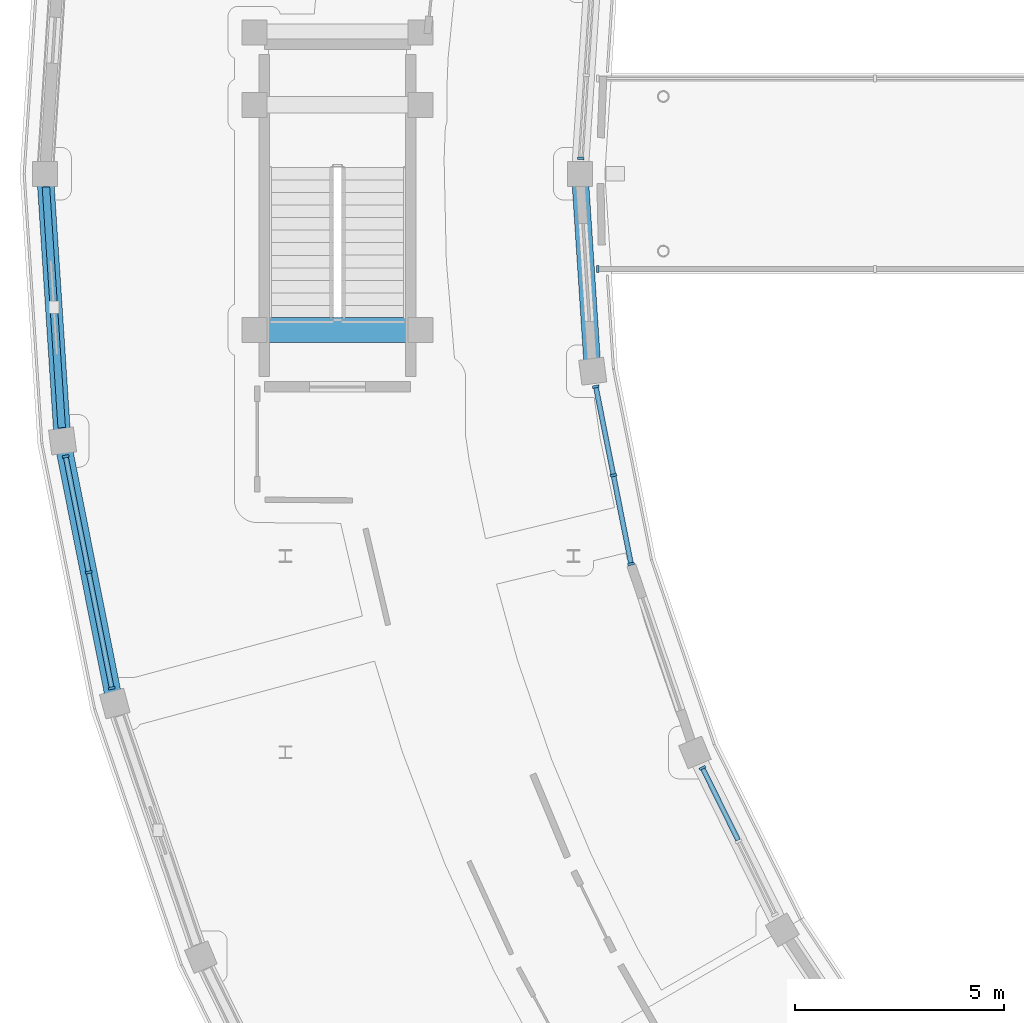
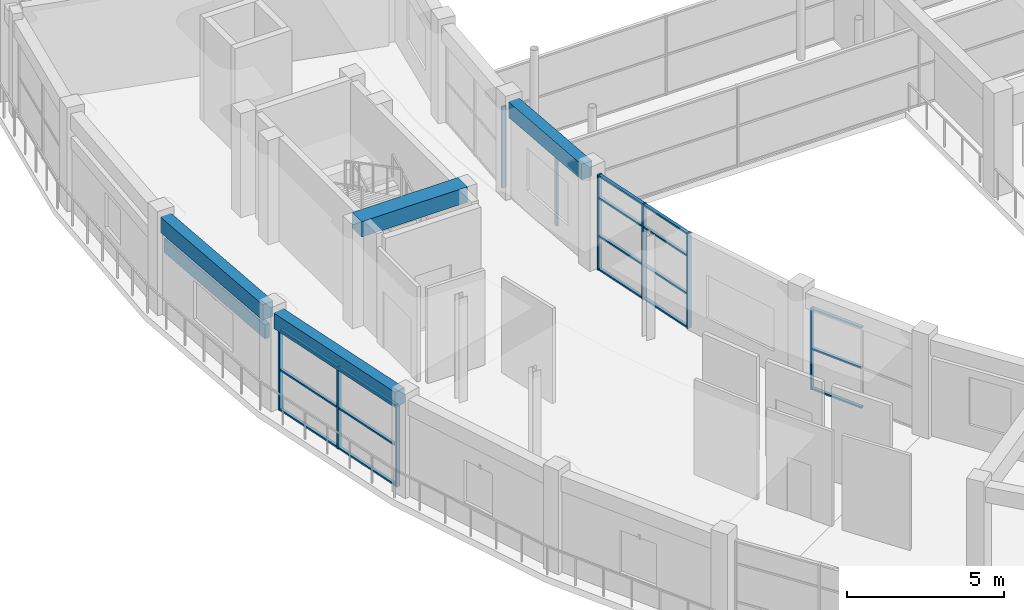
# One storey, part 17 of 70: 27 members, 4 beams, 5 elements without a shape of their own.
"""IFC4 building model written with IfcOpenShell, lengths in metres."""

from ifc_helpers import new_model, si_unit, direction, frame, origin, origin_2d, place, context, subcontext, project, spatial, rectangle, extrude, material, material_profile, profile_set, type_object, element, aggregate, save


model = new_model("IFC4")

# Units and contexts
model_context = context("Model", 3, precision=1e-05, world=origin(), true_north=direction((0.0, 1.0)))
body_context = subcontext(model_context, "Body", "Model", "MODEL_VIEW")
ifc_project = project(units=[si_unit("LENGTHUNIT", "METRE"), si_unit("AREAUNIT", "SQUARE_METRE"), si_unit("VOLUMEUNIT", "CUBIC_METRE"), si_unit("PLANEANGLEUNIT", "RADIAN"), si_unit("MASSUNIT", "GRAM", prefix="KILO")], contexts=[model_context])

# Site, building, storey
site_placement = place(None, origin())
site = spatial("IfcSite", under=ifc_project, at=site_placement, CompositionType="ELEMENT")
building_placement = place(site_placement, origin())
building = spatial("IfcBuilding", under=site, at=building_placement, Name="Saryqyr Civic Hall", CompositionType="ELEMENT")
storey_placement = place(building_placement, frame((0.0, 0.0, 13.199951171875)))
storey = spatial("IfcBuildingStorey", under=building, at=storey_placement, Name="L03", CompositionType="ELEMENT", Elevation=13.199951171875)

# Curtain wall, member
ifc_material_1 = material(Name="Anodised aluminium and triple low-E glass", Category="aluminium")
curtain_wall_type_1 = type_object("IfcCurtainWallType", Name="ENV-CW-STD-21", PredefinedType="NOTDEFINED", material=ifc_material_1)
curtain_wall_1_placement = place(storey_placement, origin())
curtain_wall_1 = element("IfcCurtainWall", 1, at=curtain_wall_1_placement, inside=storey, type_object=curtain_wall_type_1, Name="Curtain wall V4-CWI-L03-01", PredefinedType="NOTDEFINED")
ifc_material_2 = material(Name="Anodised aluminium", Category="aluminium")
ifc_material_profile_1 = material_profile(ifc_material_2, rectangle(XDim=0.06005859375, YDim=0.159912109375, at=origin_2d()), Name="ALU MULLION 60x160")
ifc_profile_set_1 = profile_set([ifc_material_profile_1], Name="Anodised aluminium")
member_type_1 = type_object("IfcMemberType", Name="ENV-CW-MUL-180", PredefinedType="MULLION", material=ifc_profile_set_1)
member_1_placement = place(storey_placement, frame((20.82421875, 84.369873046875, 0.0), z_axis=(0.0, 0.0, 1.0), x_axis=(-0.065397404214, -0.997859298459, 0.0)))
member_1 = element("IfcMember", 2, at=member_1_placement, type_object=member_type_1, Name="CW-21 mullion 3", PredefinedType="MULLION", context=body_context, shape_type="SweptSolid", body=[
    extrude(rectangle(XDim=0.06005859375, YDim=0.159912109375, at=origin_2d()), origin(), (0.0, 0.0, 1.0), 3.1650390625),
])
aggregate(curtain_wall_1, [member_1])

# Curtain wall, members
curtain_wall_type_2 = type_object("IfcCurtainWallType", Name="ENV-CW-STD-23", PredefinedType="NOTDEFINED", material=ifc_material_1)
curtain_wall_2_placement = place(storey_placement, origin())
curtain_wall_2 = element("IfcCurtainWall", 3, at=curtain_wall_2_placement, inside=storey, type_object=curtain_wall_type_2, Name="Curtain wall V4-CWO-L03-03", PredefinedType="NOTDEFINED")
member_2_placement = place(storey_placement, frame((9.59619140625, 71.687255859375, 0.0), z_axis=(0.0, 0.0, 1.0), x_axis=(-0.195096648646, 0.980784021937, 0.0)))
member_2 = element("IfcMember", 4, at=member_2_placement, type_object=member_type_1, Name="CW-23 mullion 1", PredefinedType="MULLION", context=body_context, shape_type="SweptSolid", body=[
    extrude(rectangle(XDim=0.06005859375, YDim=0.159912109375, at=origin_2d()), origin(), (0.0, 0.0, 1.0), 3.1650390625),
])
member_3_placement = place(storey_placement, frame((9.04443359375, 74.4609375, 0.0), z_axis=(0.0, 0.0, 1.0), x_axis=(-0.195096648646, 0.980784021937, 0.0)))
member_3 = element("IfcMember", 5, at=member_3_placement, type_object=member_type_1, Name="CW-23 mullion 2", PredefinedType="MULLION", context=body_context, shape_type="SweptSolid", body=[
    extrude(rectangle(XDim=0.06005859375, YDim=0.159912109375, at=origin_2d()), origin(), (0.0, 0.0, 1.0), 3.1650390625),
])
member_4_placement = place(storey_placement, frame((8.49267578125, 77.23486328125, 0.0), z_axis=(0.0, 0.0, 1.0), x_axis=(-0.195096648646, 0.980784021937, 0.0)))
member_4 = element("IfcMember", 6, at=member_4_placement, type_object=member_type_1, Name="CW-23 mullion 3", PredefinedType="MULLION", context=body_context, shape_type="SweptSolid", body=[
    extrude(rectangle(XDim=0.06005859375, YDim=0.159912109375, at=origin_2d()), origin(), (0.0, 0.0, 1.0), 3.1650390625),
])

curtain_wall_type_3 = type_object("IfcCurtainWallType", Name="ENV-CW-STD-24", PredefinedType="NOTDEFINED", material=ifc_material_1)
curtain_wall_3_placement = place(storey_placement, origin())
curtain_wall_3 = element("IfcCurtainWall", 7, at=curtain_wall_3_placement, inside=storey, type_object=curtain_wall_type_3, Name="Curtain wall V4-CWI-L03-03", PredefinedType="NOTDEFINED")
member_5_placement = place(storey_placement, frame((21.18310546875, 78.905517578125, 0.0), z_axis=(0.0, 0.0, 1.0), x_axis=(0.195099394084, -0.980783475813, 0.0)))
member_5 = element("IfcMember", 8, at=member_5_placement, type_object=member_type_1, Name="CW-24 mullion 1", PredefinedType="MULLION", context=body_context, shape_type="SweptSolid", body=[
    extrude(rectangle(XDim=0.06005859375, YDim=0.159912109375, at=origin_2d()), origin(), (0.0, 0.0, 1.0), 3.699951171875),
])
member_6_placement = place(storey_placement, frame((21.60546875, 76.782958984375, 0.0), z_axis=(0.0, 0.0, 1.0), x_axis=(0.195099394084, -0.980783475813, 0.0)))
member_6 = element("IfcMember", 9, at=member_6_placement, type_object=member_type_1, Name="CW-24 mullion 2", PredefinedType="MULLION", context=body_context, shape_type="SweptSolid", body=[
    extrude(rectangle(XDim=0.06005859375, YDim=0.159912109375, at=origin_2d()), origin(), (0.0, 0.0, 1.0), 3.699951171875),
])
member_7_placement = place(storey_placement, frame((22.027587890625, 74.66015625, 0.0), z_axis=(0.0, 0.0, 1.0), x_axis=(0.195099394084, -0.980783475813, 0.0)))
member_7 = element("IfcMember", 10, at=member_7_placement, type_object=member_type_1, Name="CW-24 mullion 3", PredefinedType="MULLION", context=body_context, shape_type="SweptSolid", body=[
    extrude(rectangle(XDim=0.06005859375, YDim=0.159912109375, at=origin_2d()), origin(), (0.0, 0.0, 1.0), 3.699951171875),
])

# Curtain wall, member
curtain_wall_4_placement = place(storey_placement, origin())
curtain_wall_4 = element("IfcCurtainWall", 11, at=curtain_wall_4_placement, inside=storey, type_object=curtain_wall_type_1, Name="Curtain wall V4-CWI-L03-05", PredefinedType="NOTDEFINED")
member_8_placement = place(storey_placement, frame((23.736572265625, 69.780029296875, 0.0), z_axis=(0.0, 0.0, 1.0), x_axis=(0.44226837931, -0.896882757479, 0.0)))
member_8 = element("IfcMember", 12, at=member_8_placement, type_object=member_type_1, Name="CW-21 mullion 1", PredefinedType="MULLION", context=body_context, shape_type="SweptSolid", body=[
    extrude(rectangle(XDim=0.06005859375, YDim=0.159912109375, at=origin_2d()), origin(), (0.0, 0.0, 1.0), 3.1650390625),
])

curtain_wall_type_4 = type_object("IfcCurtainWallType", Name="ENV-CW-STD-86", PredefinedType="NOTDEFINED", material=ifc_material_1)
curtain_wall_5_placement = place(storey_placement, origin())
curtain_wall_5 = element("IfcCurtainWall", 13, at=curtain_wall_5_placement, inside=storey, type_object=curtain_wall_type_4, Name="Curtain wall BR-CW-CW1-L03", PredefinedType="NOTDEFINED")
member_9_placement = place(storey_placement, frame((21.22998046875, 81.719970703125, 0.0), z_axis=(0.0, 0.0, 1.0), x_axis=(-1.0, 0.0, 0.0)))
member_9 = element("IfcMember", 14, at=member_9_placement, type_object=member_type_1, Name="CW-86 mullion 4", PredefinedType="MULLION", context=body_context, shape_type="SweptSolid", body=[
    extrude(rectangle(XDim=0.06005859375, YDim=0.159912109375, at=origin_2d()), origin(), (0.0, 0.0, 1.0), 3.10009765625),
])
aggregate(curtain_wall_5, [member_9])

# Member
ifc_material_profile_2 = material_profile(ifc_material_2, rectangle(XDim=0.1201171875, YDim=0.06005859375, at=origin_2d()), Name="ALU TRANSOM 120x60")
ifc_profile_set_2 = profile_set([ifc_material_profile_2], Name="Anodised aluminium")
member_type_2 = type_object("IfcMemberType", Name="ENV-CW-TRN-150", PredefinedType="USERDEFINED", material=ifc_profile_set_2)
member_10_placement = place(storey_placement, frame((9.59033203125, 71.716796875, 0.030029296875), z_axis=(-0.195098337536, 0.980783685983, 0.0), x_axis=(-0.980783685983, -0.195098337536, 0.0)))
member_10 = element("IfcMember", 15, at=member_10_placement, type_object=member_type_2, Name="CW-23 transom 1.1", ObjectType="TRANSOM", PredefinedType="USERDEFINED", context=body_context, shape_type="SweptSolid", body=[
    extrude(rectangle(XDim=0.1201171875, YDim=0.06005859375, at=origin_2d()), origin(), (0.0, 0.0, 1.0), 2.76806640625),
])

member_11_placement = place(storey_placement, frame((9.59033203125, 71.716796875, 1.58203125), z_axis=(-0.195098337536, 0.980783685983, 0.0), x_axis=(-0.980783685983, -0.195098337536, 0.0)))
member_11 = element("IfcMember", 16, at=member_11_placement, type_object=member_type_2, Name="CW-23 transom 1.2", ObjectType="TRANSOM", PredefinedType="USERDEFINED", context=body_context, shape_type="SweptSolid", body=[
    extrude(rectangle(XDim=0.1201171875, YDim=0.06005859375, at=origin_2d()), origin(), (0.0, 0.0, 1.0), 2.76806640625),
])

member_12_placement = place(storey_placement, frame((9.59033203125, 71.716796875, 3.135009765625), z_axis=(-0.195098337536, 0.980783685983, 0.0), x_axis=(-0.980783685983, -0.195098337536, 0.0)))
member_12 = element("IfcMember", 17, at=member_12_placement, type_object=member_type_2, Name="CW-23 transom 1.3", ObjectType="TRANSOM", PredefinedType="USERDEFINED", context=body_context, shape_type="SweptSolid", body=[
    extrude(rectangle(XDim=0.1201171875, YDim=0.06005859375, at=origin_2d()), origin(), (0.0, 0.0, 1.0), 2.76806640625),
])

member_13_placement = place(storey_placement, frame((9.03857421875, 74.490478515625, 0.030029296875), z_axis=(-0.195098337536, 0.980783685983, 0.0), x_axis=(-0.980783685983, -0.195098337536, 0.0)))
member_13 = element("IfcMember", 18, at=member_13_placement, type_object=member_type_2, Name="CW-23 transom 2.1", ObjectType="TRANSOM", PredefinedType="USERDEFINED", context=body_context, shape_type="SweptSolid", body=[
    extrude(rectangle(XDim=0.1201171875, YDim=0.06005859375, at=origin_2d()), origin(), (0.0, 0.0, 1.0), 2.76806640625),
])

member_14_placement = place(storey_placement, frame((9.03857421875, 74.490478515625, 1.58203125), z_axis=(-0.195098337536, 0.980783685983, 0.0), x_axis=(-0.980783685983, -0.195098337536, 0.0)))
member_14 = element("IfcMember", 19, at=member_14_placement, type_object=member_type_2, Name="CW-23 transom 2.2", ObjectType="TRANSOM", PredefinedType="USERDEFINED", context=body_context, shape_type="SweptSolid", body=[
    extrude(rectangle(XDim=0.1201171875, YDim=0.06005859375, at=origin_2d()), origin(), (0.0, 0.0, 1.0), 2.76806640625),
])

member_15_placement = place(storey_placement, frame((9.03857421875, 74.490478515625, 3.135009765625), z_axis=(-0.195098337536, 0.980783685983, 0.0), x_axis=(-0.980783685983, -0.195098337536, 0.0)))
member_15 = element("IfcMember", 20, at=member_15_placement, type_object=member_type_2, Name="CW-23 transom 2.3", ObjectType="TRANSOM", PredefinedType="USERDEFINED", context=body_context, shape_type="SweptSolid", body=[
    extrude(rectangle(XDim=0.1201171875, YDim=0.06005859375, at=origin_2d()), origin(), (0.0, 0.0, 1.0), 2.76806640625),
])

aggregate(curtain_wall_2, [member_2, member_3, member_4, member_10, member_11, member_12, member_13, member_14, member_15])

member_16_placement = place(storey_placement, frame((21.18896484375, 78.876220703125, 0.030029296875), z_axis=(0.195134385789, -0.980776514545, 0.0), x_axis=(0.980776514545, 0.195134385789, 0.0)))
member_16 = element("IfcMember", 21, at=member_16_placement, type_object=member_type_2, Name="CW-24 transom 1.1", ObjectType="TRANSOM", PredefinedType="USERDEFINED", context=body_context, shape_type="SweptSolid", body=[
    extrude(rectangle(XDim=0.1201171875, YDim=0.06005859375, at=origin_2d()), origin(), (0.0, 0.0, 1.0), 2.1044921875),
])

member_17_placement = place(storey_placement, frame((21.18896484375, 78.876220703125, 1.33203125), z_axis=(0.195134385789, -0.980776514545, 0.0), x_axis=(0.980776514545, 0.195134385789, 0.0)))
member_17 = element("IfcMember", 22, at=member_17_placement, type_object=member_type_2, Name="CW-24 transom 1.2", ObjectType="TRANSOM", PredefinedType="USERDEFINED", context=body_context, shape_type="SweptSolid", body=[
    extrude(rectangle(XDim=0.1201171875, YDim=0.06005859375, at=origin_2d()), origin(), (0.0, 0.0, 1.0), 2.1044921875),
])

member_18_placement = place(storey_placement, frame((21.18896484375, 78.876220703125, 2.81201171875), z_axis=(0.195134385789, -0.980776514545, 0.0), x_axis=(0.980776514545, 0.195134385789, 0.0)))
member_18 = element("IfcMember", 23, at=member_18_placement, type_object=member_type_2, Name="CW-24 transom 1.3", ObjectType="TRANSOM", PredefinedType="USERDEFINED", context=body_context, shape_type="SweptSolid", body=[
    extrude(rectangle(XDim=0.1201171875, YDim=0.06005859375, at=origin_2d()), origin(), (0.0, 0.0, 1.0), 2.1044921875),
])

member_19_placement = place(storey_placement, frame((21.18896484375, 78.876220703125, 3.670166015625), z_axis=(0.195134385789, -0.980776514545, 0.0), x_axis=(0.980776514545, 0.195134385789, 0.0)))
member_19 = element("IfcMember", 24, at=member_19_placement, type_object=member_type_2, Name="CW-24 transom 1.4", ObjectType="TRANSOM", PredefinedType="USERDEFINED", context=body_context, shape_type="SweptSolid", body=[
    extrude(rectangle(XDim=0.1201171875, YDim=0.06005859375, at=origin_2d()), origin(), (0.0, 0.0, 1.0), 2.1044921875),
])

member_20_placement = place(storey_placement, frame((21.611328125, 76.75341796875, 0.030029296875), z_axis=(0.195044979963, -0.980794298409, 0.0), x_axis=(0.980794298409, 0.195044979963, 0.0)))
member_20 = element("IfcMember", 25, at=member_20_placement, type_object=member_type_2, Name="CW-24 transom 2.1", ObjectType="TRANSOM", PredefinedType="USERDEFINED", context=body_context, shape_type="SweptSolid", body=[
    extrude(rectangle(XDim=0.1201171875, YDim=0.06005859375, at=origin_2d()), origin(), (0.0, 0.0, 1.0), 2.104248046875),
])

member_21_placement = place(storey_placement, frame((21.611328125, 76.75341796875, 1.33203125), z_axis=(0.195044979963, -0.980794298409, 0.0), x_axis=(0.980794298409, 0.195044979963, 0.0)))
member_21 = element("IfcMember", 26, at=member_21_placement, type_object=member_type_2, Name="CW-24 transom 2.2", ObjectType="TRANSOM", PredefinedType="USERDEFINED", context=body_context, shape_type="SweptSolid", body=[
    extrude(rectangle(XDim=0.1201171875, YDim=0.06005859375, at=origin_2d()), origin(), (0.0, 0.0, 1.0), 2.104248046875),
])

member_22_placement = place(storey_placement, frame((21.611328125, 76.75341796875, 2.81201171875), z_axis=(0.195044979963, -0.980794298409, 0.0), x_axis=(0.980794298409, 0.195044979963, 0.0)))
member_22 = element("IfcMember", 27, at=member_22_placement, type_object=member_type_2, Name="CW-24 transom 2.3", ObjectType="TRANSOM", PredefinedType="USERDEFINED", context=body_context, shape_type="SweptSolid", body=[
    extrude(rectangle(XDim=0.1201171875, YDim=0.06005859375, at=origin_2d()), origin(), (0.0, 0.0, 1.0), 2.104248046875),
])

member_23_placement = place(storey_placement, frame((21.611328125, 76.75341796875, 3.670166015625), z_axis=(0.195044979963, -0.980794298409, 0.0), x_axis=(0.980794298409, 0.195044979963, 0.0)))
member_23 = element("IfcMember", 28, at=member_23_placement, type_object=member_type_2, Name="CW-24 transom 2.4", ObjectType="TRANSOM", PredefinedType="USERDEFINED", context=body_context, shape_type="SweptSolid", body=[
    extrude(rectangle(XDim=0.1201171875, YDim=0.06005859375, at=origin_2d()), origin(), (0.0, 0.0, 1.0), 2.104248046875),
])

aggregate(curtain_wall_3, [member_5, member_6, member_7, member_16, member_17, member_18, member_19, member_20, member_21, member_22, member_23])

member_24_placement = place(storey_placement, frame((23.749755859375, 69.753173828125, 0.030029296875), z_axis=(0.442320820381, -0.896856895975, 0.0), x_axis=(0.896856895975, 0.442320820381, 0.0)))
member_24 = element("IfcMember", 29, at=member_24_placement, type_object=member_type_2, Name="CW-21 transom 1.1", ObjectType="TRANSOM", PredefinedType="USERDEFINED", context=body_context, shape_type="SweptSolid", body=[
    extrude(rectangle(XDim=0.1201171875, YDim=0.06005859375, at=origin_2d()), origin(), (0.0, 0.0, 1.0), 1.898681640625),
])

member_25_placement = place(storey_placement, frame((23.749755859375, 69.753173828125, 1.58203125), z_axis=(0.442320820381, -0.896856895975, 0.0), x_axis=(0.896856895975, 0.442320820381, 0.0)))
member_25 = element("IfcMember", 30, at=member_25_placement, type_object=member_type_2, Name="CW-21 transom 1.2", ObjectType="TRANSOM", PredefinedType="USERDEFINED", context=body_context, shape_type="SweptSolid", body=[
    extrude(rectangle(XDim=0.1201171875, YDim=0.06005859375, at=origin_2d()), origin(), (0.0, 0.0, 1.0), 1.898681640625),
])

member_26_placement = place(storey_placement, frame((23.749755859375, 69.753173828125, 3.135009765625), z_axis=(0.442320820381, -0.896856895975, 0.0), x_axis=(0.896856895975, 0.442320820381, 0.0)))
member_26 = element("IfcMember", 31, at=member_26_placement, type_object=member_type_2, Name="CW-21 transom 1.3", ObjectType="TRANSOM", PredefinedType="USERDEFINED", context=body_context, shape_type="SweptSolid", body=[
    extrude(rectangle(XDim=0.1201171875, YDim=0.06005859375, at=origin_2d()), origin(), (0.0, 0.0, 1.0), 1.898681640625),
])

aggregate(curtain_wall_4, [member_8, member_24, member_25, member_26])

ifc_material_3 = material(Name="Precast concrete C40/50", Category="concrete")
ifc_material_profile_3 = material_profile(ifc_material_3, rectangle(XDim=0.179931640625, YDim=0.550048828125, at=origin_2d()), Name="PC FIN 180x550")
ifc_profile_set_3 = profile_set([ifc_material_profile_3], Name="Precast concrete C40/50")
member_type_3 = type_object("IfcMemberType", Name="ENV-FIN-PC550", PredefinedType="USERDEFINED", material=ifc_profile_set_3)
member_27_placement = place(storey_placement, frame((8.020751953125, 83.6826171875, 2.670166015625), z_axis=(0.065415986543, -0.997858080443, 0.0), x_axis=(0.997858080443, 0.065415986543, 0.0)))
element("IfcMember", 32, at=member_27_placement, inside=storey, type_object=member_type_3, Name="Precast horizontal solar brise-soleil fin V4-L03-02", ObjectType="SOLAR_FIN", PredefinedType="USERDEFINED", context=body_context, shape_type="SweptSolid", body=[
    extrude(rectangle(XDim=0.179931640625, YDim=0.550048828125, at=origin_2d()), origin(), (0.0, 0.0, 1.0), 5.773681640625),
])

# Beams
ifc_material_4 = material(Name="Concrete C35/45", Category="concrete")
ifc_material_profile_4 = material_profile(ifc_material_4, rectangle(XDim=0.39990234375, YDim=0.60009765625, at=origin_2d()), Name="RC 400x600")
ifc_profile_set_4 = profile_set([ifc_material_profile_4], Name="Concrete C35/45")
beam_type_1 = type_object("IfcBeamType", Name="STR-BM-RC400x600-EXT", PredefinedType="BEAM", material=ifc_profile_set_4)
beam_1_placement = place(storey_placement, frame((20.818115234375, 83.7255859375, 3.489990234375), z_axis=(0.065392297948, -0.997859633099, 0.0), x_axis=(0.997859633099, 0.065392297948, 0.0)))
element("IfcBeam", 33, at=beam_1_placement, inside=storey, type_object=beam_type_1, Name="Beam V4-CBM-IN02-L03", PredefinedType="BEAM", context=body_context, shape_type="SweptSolid", body=[
    extrude(rectangle(XDim=0.39990234375, YDim=0.60009765625, at=origin_2d()), origin(), (0.0, 0.0, 1.0), 4.185302734375),
])
for number, where, z_axis, x_axis, name in (
    (34, (8.01806640625, 83.7255859375, 3.489990234375), (0.06537407149, -0.997860827359, 0.0), (0.997860827359, 0.06537407149, 0.0), "Beam V4-CBM-OUT02-L03"),
    (35, (8.472900390625, 77.33447265625, 3.489990234375), (0.195082377398, -0.980786860653, 0.0), (0.980786860653, 0.195082377398, 0.0), "Beam V4-CBM-OUT03-L03"),
):
    element("IfcBeam", number, at=place(storey_placement, frame(where, z_axis=z_axis, x_axis=x_axis)), inside=storey, type_object=beam_type_1, Name=name, PredefinedType="BEAM", context=body_context, shape_type="SweptSolid", body=[
        extrude(rectangle(XDim=0.39990234375, YDim=0.60009765625, at=origin_2d()), origin(), (0.0, 0.0, 1.0), 5.859375),
    ])
ifc_material_5 = material(Name="Concrete C40/50", Category="concrete")
ifc_material_profile_5 = material_profile(ifc_material_5, rectangle(XDim=0.60009765625, YDim=0.60009765625, at=origin_2d()), Name="RC 600x600")
ifc_profile_set_5 = profile_set([ifc_material_profile_5], Name="Concrete C40/50")
beam_type_2 = type_object("IfcBeamType", Name="STR-BM-RC600x600", PredefinedType="BEAM", material=ifc_profile_set_5)
beam_2_placement = place(storey_placement, frame((16.949951171875, 80.264892578125, 3.75), z_axis=(-1.0, 0.0, 0.0), x_axis=(0.0, -1.0, 0.0)))
element("IfcBeam", 36, at=beam_2_placement, inside=storey, type_object=beam_type_2, Name="Stair well trimmer beam ST-4-L04", PredefinedType="BEAM", context=body_context, shape_type="SweptSolid", body=[
    extrude(rectangle(XDim=0.60009765625, YDim=0.60009765625, at=origin_2d()), origin(), (0.0, 0.0, 1.0), 3.89990234375),
])

save(model, "model.ifc")
